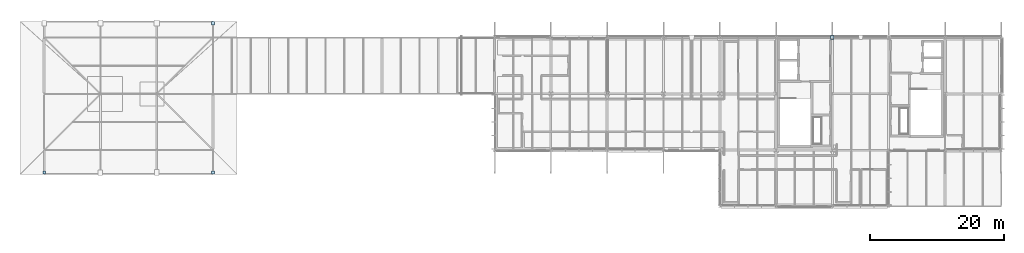
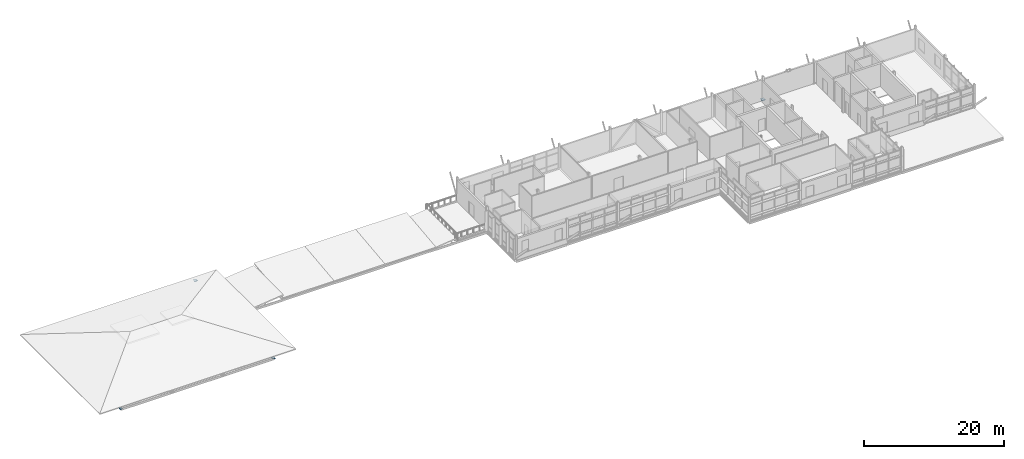
# One storey, part 29 of 35: 4 plates.
"""IFC4 building model written with IfcOpenShell, lengths in metres."""

from ifc_helpers import new_model, si_unit, direction, frame, origin, origin_2d, place, context, subcontext, project, spatial, rectangle, extrude, material, layer, layer_set, type_object, element, save


model = new_model("IFC4")

# Units and contexts
model_context = context("Model", 3, precision=1e-05, world=origin(), true_north=direction((0.0, 1.0)))
body_context = subcontext(model_context, "Body", "Model", "MODEL_VIEW")
ifc_project = project(units=[si_unit("LENGTHUNIT", "METRE"), si_unit("AREAUNIT", "SQUARE_METRE"), si_unit("VOLUMEUNIT", "CUBIC_METRE"), si_unit("PLANEANGLEUNIT", "RADIAN"), si_unit("MASSUNIT", "GRAM", prefix="KILO")], contexts=[model_context])

# Site, building, storey
site_placement = place(None, origin())
site = spatial("IfcSite", under=ifc_project, at=site_placement, CompositionType="ELEMENT")
building_placement = place(site_placement, origin())
building = spatial("IfcBuilding", under=site, at=building_placement, Name="Mersafa Astral City Hall", CompositionType="ELEMENT")
storey_placement = place(building_placement, frame((0.0, 0.0, 30.14990234375)))
storey = spatial("IfcBuildingStorey", under=building, at=storey_placement, Name="L07", CompositionType="ELEMENT", Elevation=30.14990234375)

# Plates
ifc_material = material(Name="Steel S355", Category="steel")
ifc_layer_1 = layer(ifc_material, 0.01611328125, Name="Steel S355")
ifc_layer_set_1 = layer_set([ifc_layer_1], Name="Steel S355 — STR-PLT-NP-3")
plate_type_1 = type_object("IfcPlateType", Name="STR-PLT-NP-3", PredefinedType="SHEET", material=ifc_layer_set_1)
plate_1_placement = place(storey_placement, frame((42.0, 105.85009765625, -0.41796875), z_axis=(0.0, 0.0, 1.0), x_axis=(1.0, 0.0, 0.0)))
element("IfcPlate", 1, at=plate_1_placement, inside=storey, type_object=plate_type_1, Name="L07 Structural steel eave strut node plate NP-3", PredefinedType="SHEET", context=body_context, shape_type="SweptSolid", body=[
    extrude(rectangle(XDim=0.409912109375, YDim=0.4599609375, at=origin_2d()), origin(), (0.0, 0.0, 1.0), 0.01611328125),
])
ifc_layer_2 = layer(ifc_material, 0.01708984375, Name="Steel S355")
ifc_layer_set_2 = layer_set([ifc_layer_2], Name="Steel S355 — STR-PLT-NP-4")
plate_type_2 = type_object("IfcPlateType", Name="STR-PLT-NP-4", PredefinedType="SHEET", material=ifc_layer_set_2)
plate_2_placement = place(storey_placement, frame((67.199951171875, 105.85009765625, -0.41845703125), z_axis=(0.0, 0.0, 1.0), x_axis=(1.0, 0.0, 0.0)))
element("IfcPlate", 2, at=plate_2_placement, inside=storey, type_object=plate_type_2, Name="L07 Structural steel eave strut node plate NP-4", PredefinedType="SHEET", context=body_context, shape_type="SweptSolid", body=[
    extrude(rectangle(XDim=0.43505859375, YDim=0.489990234375, at=origin_2d()), origin(), (0.0, 0.0, 1.0), 0.01708984375),
])
ifc_layer_3 = layer(ifc_material, 0.01806640625, Name="Steel S355")
ifc_layer_set_3 = layer_set([ifc_layer_3], Name="Steel S355 — STR-PLT-NP-5")
plate_type_3 = type_object("IfcPlateType", Name="STR-PLT-NP-5", PredefinedType="SHEET", material=ifc_layer_set_3)
plate_3_placement = place(storey_placement, frame((67.199951171875, 128.14990234375, -0.4189453125), z_axis=(0.0, 0.0, 1.0), x_axis=(1.0, 0.0, 0.0)))
element("IfcPlate", 3, at=plate_3_placement, inside=storey, type_object=plate_type_3, Name="L07 Structural steel eave strut node plate NP-5", PredefinedType="SHEET", context=body_context, shape_type="SweptSolid", body=[
    extrude(rectangle(XDim=0.4599609375, YDim=0.52001953125, at=origin_2d()), origin(), (0.0, 0.0, 1.0), 0.01806640625),
])
ifc_layer_4 = layer(ifc_material, 0.02099609375, Name="Steel S355")
ifc_layer_set_4 = layer_set([ifc_layer_4], Name="Steel S355 — STR-PLT-NP-8")
plate_type_4 = type_object("IfcPlateType", Name="STR-PLT-NP-8", PredefinedType="SHEET", material=ifc_layer_set_4)
plate_4_placement = place(storey_placement, frame((159.597900390625, 126.0, 0.109619140625), z_axis=(0.0, 0.0, 1.0), x_axis=(1.0, 0.0, 0.0)))
element("IfcPlate", 4, at=plate_4_placement, inside=storey, type_object=plate_type_4, Name="L07 Structural steel brace gusset plate NP-8", PredefinedType="SHEET", context=body_context, shape_type="SweptSolid", body=[
    extrude(rectangle(XDim=0.534912109375, YDim=0.610107421875, at=origin_2d()), origin(), (0.0, 0.0, 1.0), 0.02099609375),
])

save(model, "model.ifc")
